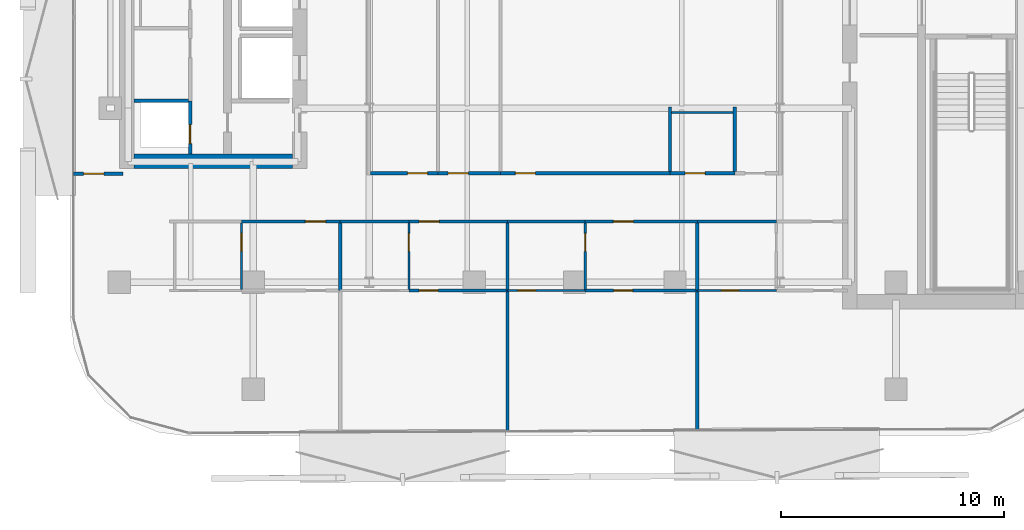
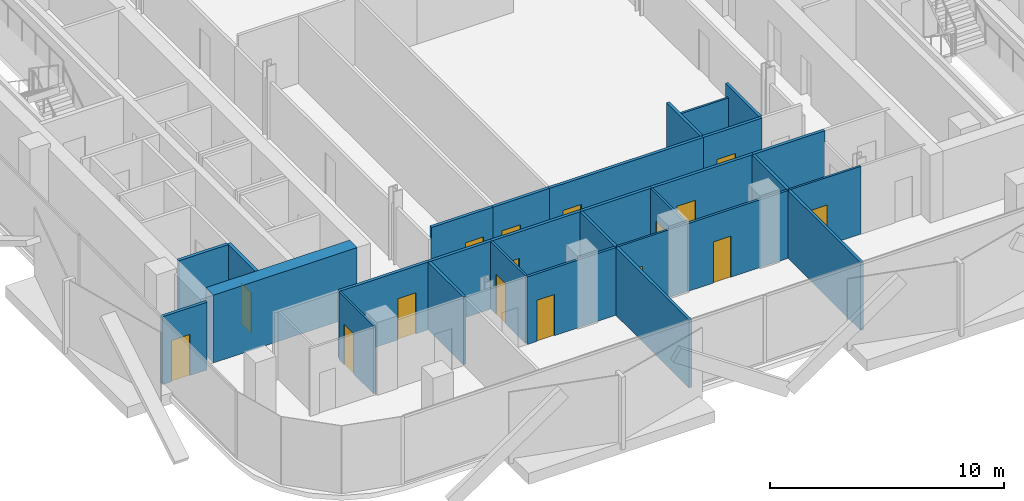
# One storey, part 3 of 17: 29 walls, 16 doors, 16 openings.
"""IFC4 building model written with IfcOpenShell, lengths in metres."""

from ifc_helpers import new_model, si_unit, direction, frame, frame_2d, origin, place, context, subcontext, project, spatial, rectangle, extrude, material, layer, layer_set, type_object, element, fill, save


model = new_model("IFC4")

# Units and contexts
model_context = context("Model", 3, precision=1e-05, world=origin(), true_north=direction((0.0, 1.0)))
body_context = subcontext(model_context, "Body", "Model", "MODEL_VIEW")
ifc_project = project(units=[si_unit("LENGTHUNIT", "METRE"), si_unit("AREAUNIT", "SQUARE_METRE"), si_unit("VOLUMEUNIT", "CUBIC_METRE"), si_unit("PLANEANGLEUNIT", "RADIAN"), si_unit("MASSUNIT", "GRAM", prefix="KILO")], contexts=[model_context])

# Site, building, storey
site_placement = place(None, origin())
site = spatial("IfcSite", under=ifc_project, at=site_placement, CompositionType="ELEMENT")
building_placement = place(site_placement, origin())
building = spatial("IfcBuilding", under=site, at=building_placement, Name="Khairoan Windgate Tower", CompositionType="ELEMENT")
storey_placement = place(building_placement, frame((0.0, 0.0, 195.39990234375)))
storey = spatial("IfcBuildingStorey", under=building, at=storey_placement, Name="L45", CompositionType="ELEMENT", Elevation=195.39990234375)

# Wall, opening, door
ifc_material_1 = material(Name="Moisture-Resistant Gypsum Partition", Category="gypsum")
ifc_layer_1 = layer(ifc_material_1, 0.10009765625, Name="Moisture-Resistant Gypsum Partition")
ifc_layer_set_1 = layer_set([ifc_layer_1], Name="Moisture-Resistant Gypsum Partition")
wall_type_1 = type_object("IfcWallType", Name="Bathroom Wet-Area Partition Wall", PredefinedType="PARTITIONING", material=ifc_layer_set_1)
wall_1_placement = place(storey_placement, frame((-14.924072265625, -18.919921875, 0.0), z_axis=(0.0, 0.0, 1.0), x_axis=(0.0, 1.0, 0.0)))
wall_1 = element("IfcWall", 1, at=wall_1_placement, inside=storey, type_object=wall_type_1, Name="L45 Interior Partition 078", PredefinedType="PARTITIONING", context=body_context, shape_type="SweptSolid", body=[
    extrude(rectangle(XDim=2.96484375, YDim=0.10009765625, at=frame_2d((1.482421875, 0.0))), origin(), (0.0, 0.0, 1.0), 3.5400390625),
])
opening_1_placement = place(wall_1_placement, frame((1.705078125, 0.0, 0.0)))
opening_1 = element("IfcOpeningElement", 2, at=opening_1_placement, cuts=wall_1, Name="Opening ID-BTH", PredefinedType="OPENING", context=body_context, shape_type="SweptSolid", body=[
    extrude(rectangle(XDim=0.800048828125, YDim=2.10009765625, at=frame_2d((0.39990234375, 1.050048828125))), frame((0.0, 0.06005859375, 0.0), z_axis=(0.0, -1.0, 0.0), x_axis=(1.0, 0.0, 0.0)), (0.0, 0.0, 1.0), 0.1201171875),
])
ifc_material_2 = material(Name="Teak Veneer Timber Leaf", Category="wood")
door_type_1 = type_object("IfcDoorType", Name="Internal Bathroom Door ID-BTH 800x2100", OperationType="NOTDEFINED", PredefinedType="DOOR", material=ifc_material_2)
door_1_placement = place(opening_1_placement, origin())
door_1 = element("IfcDoor", 3, at=door_1_placement, inside=storey, type_object=door_type_1, Name="L45 L45-54-L45-55 Door", OperationType="SINGLE_SWING_RIGHT", OverallHeight=2.10009765625, OverallWidth=0.800048828125, PredefinedType="DOOR", context=body_context, shape_type="SweptSolid", body=[
    extrude(rectangle(XDim=0.800048828125, YDim=2.10009765625, at=frame_2d((0.39990234375, 1.050048828125))), frame((0.0, 0.02490234375, 0.0), z_axis=(0.0, -1.0, 0.0), x_axis=(1.0, 0.0, 0.0)), (0.0, 0.0, 1.0), 0.050048828125),
])
fill(opening_1, door_1)

wall_2_placement = place(storey_placement, frame((-7.424072265625, -18.919921875, 0.0), z_axis=(0.0, 0.0, 1.0), x_axis=(0.0, 1.0, 0.0)))
wall_2 = element("IfcWall", 4, at=wall_2_placement, inside=storey, type_object=wall_type_1, Name="L45 Interior Partition 083", PredefinedType="PARTITIONING", context=body_context, shape_type="SweptSolid", body=[
    extrude(rectangle(XDim=2.96484375, YDim=0.10009765625, at=frame_2d((1.482421875, 0.0))), origin(), (0.0, 0.0, 1.0), 3.5400390625),
])
opening_2_placement = place(wall_2_placement, frame((1.705078125, 0.0, 0.0)))
opening_2 = element("IfcOpeningElement", 5, at=opening_2_placement, cuts=wall_2, Name="Opening ID-BTH", PredefinedType="OPENING", context=body_context, shape_type="SweptSolid", body=[
    extrude(rectangle(XDim=0.800048828125, YDim=2.10009765625, at=frame_2d((0.39990234375, 1.050048828125))), frame((0.0, 0.06005859375, 0.0), z_axis=(0.0, -1.0, 0.0), x_axis=(1.0, 0.0, 0.0)), (0.0, 0.0, 1.0), 0.1201171875),
])
door_2_placement = place(opening_2_placement, origin())
door_2 = element("IfcDoor", 6, at=door_2_placement, inside=storey, type_object=door_type_1, Name="L45 L45-57-L45-58 Door", OperationType="SINGLE_SWING_LEFT", OverallHeight=2.10009765625, OverallWidth=0.800048828125, PredefinedType="DOOR", context=body_context, shape_type="SweptSolid", body=[
    extrude(rectangle(XDim=0.800048828125, YDim=2.10009765625, at=frame_2d((0.39990234375, 1.050048828125))), frame((0.0, 0.02490234375, 0.0), z_axis=(0.0, -1.0, 0.0), x_axis=(1.0, 0.0, 0.0)), (0.0, 0.0, 1.0), 0.050048828125),
])
fill(opening_2, door_2)

wall_3_placement = place(storey_placement, frame((0.47607421875, -18.919921875, 0.0), z_axis=(0.0, 0.0, 1.0), x_axis=(0.0, 1.0, 0.0)))
wall_3 = element("IfcWall", 7, at=wall_3_placement, inside=storey, type_object=wall_type_1, Name="L45 Interior Partition 088", PredefinedType="PARTITIONING", context=body_context, shape_type="SweptSolid", body=[
    extrude(rectangle(XDim=2.96484375, YDim=0.10009765625, at=frame_2d((1.482421875, 0.0))), origin(), (0.0, 0.0, 1.0), 3.5400390625),
])
opening_3_placement = place(wall_3_placement, frame((1.705078125, 0.0, 0.0)))
opening_3 = element("IfcOpeningElement", 8, at=opening_3_placement, cuts=wall_3, Name="Opening ID-BTH", PredefinedType="OPENING", context=body_context, shape_type="SweptSolid", body=[
    extrude(rectangle(XDim=0.800048828125, YDim=2.10009765625, at=frame_2d((0.39990234375, 1.050048828125))), frame((0.0, 0.06005859375, 0.0), z_axis=(0.0, -1.0, 0.0), x_axis=(1.0, 0.0, 0.0)), (0.0, 0.0, 1.0), 0.1201171875),
])
door_3_placement = place(opening_3_placement, origin())
door_3 = element("IfcDoor", 9, at=door_3_placement, inside=storey, type_object=door_type_1, Name="L45 L45-60-L45-61 Door", OperationType="SINGLE_SWING_RIGHT", OverallHeight=2.10009765625, OverallWidth=0.800048828125, PredefinedType="DOOR", context=body_context, shape_type="SweptSolid", body=[
    extrude(rectangle(XDim=0.800048828125, YDim=2.10009765625, at=frame_2d((0.39990234375, 1.050048828125))), frame((0.0, 0.02490234375, 0.0), z_axis=(0.0, -1.0, 0.0), x_axis=(1.0, 0.0, 0.0)), (0.0, 0.0, 1.0), 0.050048828125),
])
fill(opening_3, door_3)

wall_4_placement = place(storey_placement, frame((-3.0, -18.969970703125, 0.0), z_axis=(0.0, 0.0, 1.0), x_axis=(1.0, 0.0, 0.0)))
wall_4 = element("IfcWall", 10, at=wall_4_placement, inside=storey, type_object=wall_type_1, Name="L45 Interior Partition 089", PredefinedType="PARTITIONING", context=body_context, shape_type="SweptSolid", body=[
    extrude(rectangle(XDim=3.47607421875, YDim=0.10009765625, at=frame_2d((1.738037109375, 0.0))), origin(), (0.0, 0.0, 1.0), 3.5400390625),
])
opening_4_placement = place(wall_4_placement, frame((0.4599609375, 0.0, 0.0)))
opening_4 = element("IfcOpeningElement", 11, at=opening_4_placement, cuts=wall_4, Name="Opening ID-BTH", PredefinedType="OPENING", context=body_context, shape_type="SweptSolid", body=[
    extrude(rectangle(XDim=0.800048828125, YDim=2.10009765625, at=frame_2d((0.39990234375, 1.050048828125))), frame((0.0, 0.06005859375, 0.0), z_axis=(0.0, -1.0, 0.0), x_axis=(1.0, 0.0, 0.0)), (0.0, 0.0, 1.0), 0.1201171875),
])
door_4_placement = place(opening_4_placement, origin())
door_4 = element("IfcDoor", 12, at=door_4_placement, inside=storey, type_object=door_type_1, Name="L45 L45-60-L45-62 Door", OperationType="SINGLE_SWING_LEFT", OverallHeight=2.10009765625, OverallWidth=0.800048828125, PredefinedType="DOOR", context=body_context, shape_type="SweptSolid", body=[
    extrude(rectangle(XDim=0.800048828125, YDim=2.10009765625, at=frame_2d((0.39990234375, 1.050048828125))), frame((0.0, 0.02490234375, 0.0), z_axis=(0.0, -1.0, 0.0), x_axis=(1.0, 0.0, 0.0)), (0.0, 0.0, 1.0), 0.050048828125),
])
fill(opening_4, door_4)

wall_5_placement = place(storey_placement, frame((5.5, -18.969970703125, 0.0), z_axis=(0.0, 0.0, 1.0), x_axis=(1.0, 0.0, 0.0)))
wall_5 = element("IfcWall", 13, at=wall_5_placement, inside=storey, type_object=wall_type_1, Name="L45 Interior Partition 094", PredefinedType="PARTITIONING", context=body_context, shape_type="SweptSolid", body=[
    extrude(rectangle(XDim=3.5400390625, YDim=0.10009765625, at=frame_2d((1.77001953125, 0.0))), origin(), (0.0, 0.0, 1.0), 3.5400390625),
])
opening_5_placement = place(wall_5_placement, frame((1.066650390625, 0.0, 0.0)))
opening_5 = element("IfcOpeningElement", 14, at=opening_5_placement, cuts=wall_5, Name="Opening ID-BTH", PredefinedType="OPENING", context=body_context, shape_type="SweptSolid", body=[
    extrude(rectangle(XDim=0.800048828125, YDim=2.10009765625, at=frame_2d((0.39990234375, 1.050048828125))), frame((0.0, 0.06005859375, 0.0), z_axis=(0.0, -1.0, 0.0), x_axis=(1.0, 0.0, 0.0)), (0.0, 0.0, 1.0), 0.1201171875),
])
door_5_placement = place(opening_5_placement, origin())
door_5 = element("IfcDoor", 15, at=door_5_placement, inside=storey, type_object=door_type_1, Name="L45 L45-63-L45-65 Door", OperationType="SINGLE_SWING_RIGHT", OverallHeight=2.10009765625, OverallWidth=0.800048828125, PredefinedType="DOOR", context=body_context, shape_type="SweptSolid", body=[
    extrude(rectangle(XDim=0.800048828125, YDim=2.10009765625, at=frame_2d((0.39990234375, 1.050048828125))), frame((0.0, 0.02490234375, 0.0), z_axis=(0.0, -1.0, 0.0), x_axis=(1.0, 0.0, 0.0)), (0.0, 0.0, 1.0), 0.050048828125),
])
fill(opening_5, door_5)

# Walls
wall_6_placement = place(storey_placement, frame((4.35009765625, -11.0, 0.0), z_axis=(0.0, 0.0, 1.0), x_axis=(1.0, 0.0, 0.0)))
element("IfcWall", 16, at=wall_6_placement, inside=storey, type_object=wall_type_1, Name="L45 Wet Room Side Wall 099", PredefinedType="PARTITIONING", context=body_context, shape_type="SweptSolid", body=[
    extrude(rectangle(XDim=2.760009765625, YDim=0.10009765625, at=frame_2d((1.3798828125, 0.0))), origin(), (0.0, 0.0, 1.0), 2.9521484375),
])
ifc_material_3 = material(Name="Acoustic Fire-Rated Gypsum Partition", Category="gypsum")
ifc_layer_2 = layer(ifc_material_3, 0.139892578125, Name="Acoustic Fire-Rated Gypsum Partition")
ifc_layer_set_2 = layer_set([ifc_layer_2], Name="Acoustic Fire-Rated Gypsum Partition")
wall_type_2 = type_object("IfcWallType", Name="Inter-Tenancy Compartment Wall", PredefinedType="PARTITIONING", material=ifc_layer_set_2)
for number, where, z_axis, x_axis, name in (
    (17, (4.280029296875, -13.64501953125, 0.0), (0.0, 0.0, 1.0), (0.0, 1.0, 0.0), "L45 Interior Partition 049"),
    (18, (7.179931640625, -13.64501953125, 0.0), (0.0, 0.0, 1.0), (0.0, 1.0, 0.0), "L45 Interior Partition 052"),
):
    element("IfcWall", number, at=place(storey_placement, frame(where, z_axis=z_axis, x_axis=x_axis)), inside=storey, type_object=wall_type_2, Name=name, PredefinedType="PARTITIONING", context=body_context, shape_type="SweptSolid", body=[
        extrude(rectangle(XDim=2.885009765625, YDim=0.139892578125, at=frame_2d((1.4423828125, 0.0))), origin(), (0.0, 0.0, 1.0), 3.5400390625),
    ])
for number, where, z_axis, x_axis, name in (
    (19, (-10.5, -18.969970703125, 0.0), (0.0, 0.0, 1.0), (0.0, 1.0, 0.0), "L45 Interior Partition 081"),
    (20, (-3.0, -18.969970703125, 0.0), (0.0, 0.0, 1.0), (0.0, 1.0, 0.0), "L45 Interior Partition 086"),
):
    element("IfcWall", number, at=place(storey_placement, frame(where, z_axis=z_axis, x_axis=x_axis)), inside=storey, type_object=wall_type_2, Name=name, PredefinedType="PARTITIONING", context=body_context, shape_type="SweptSolid", body=[
        extrude(rectangle(XDim=3.014892578125, YDim=0.139892578125, at=frame_2d((1.50732421875, 0.0))), origin(), (0.0, 0.0, 1.0), 3.5400390625),
    ])
wall_7_placement = place(storey_placement, frame((-3.0, -25.28466796875, 0.0), z_axis=(0.0, 0.0, 1.0), x_axis=(0.0, 1.0, 0.0)))
element("IfcWall", 21, at=wall_7_placement, inside=storey, type_object=wall_type_2, Name="L45 Interior Partition 087", PredefinedType="PARTITIONING", context=body_context, shape_type="SweptSolid", body=[
    extrude(rectangle(XDim=6.314697265625, YDim=0.139892578125, at=frame_2d((3.1572265625, 0.0))), origin(), (0.0, 0.0, 1.0), 3.5400390625),
])
wall_8_placement = place(storey_placement, frame((5.5, -18.969970703125, 0.0), z_axis=(0.0, 0.0, 1.0), x_axis=(0.0, 1.0, 0.0)))
element("IfcWall", 22, at=wall_8_placement, inside=storey, type_object=wall_type_2, Name="L45 Interior Partition 091", PredefinedType="PARTITIONING", context=body_context, shape_type="SweptSolid", body=[
    extrude(rectangle(XDim=3.014892578125, YDim=0.139892578125, at=frame_2d((1.50732421875, 0.0))), origin(), (0.0, 0.0, 1.0), 3.5400390625),
])
wall_9_placement = place(storey_placement, frame((5.5, -25.24267578125, 0.0), z_axis=(0.0, 0.0, 1.0), x_axis=(0.0, 1.0, 0.0)))
element("IfcWall", 23, at=wall_9_placement, inside=storey, type_object=wall_type_2, Name="L45 Interior Partition 092", PredefinedType="PARTITIONING", context=body_context, shape_type="SweptSolid", body=[
    extrude(rectangle(XDim=6.272705078125, YDim=0.139892578125, at=frame_2d((3.13623046875, 0.0))), origin(), (0.0, 0.0, 1.0), 3.5400390625),
])

# Wall, opening, door
ifc_material_4 = material(Name="Gypsum Stud Partition", Category="gypsum")
ifc_layer_3 = layer(ifc_material_4, 0.1201171875, Name="Gypsum Stud Partition")
ifc_layer_set_3 = layer_set([ifc_layer_3], Name="Gypsum Stud Partition")
wall_type_3 = type_object("IfcWallType", Name="Internal Room Partition Wall", PredefinedType="PARTITIONING", material=ifc_layer_set_3)
wall_10_placement = place(storey_placement, frame((-7.424072265625, -18.969970703125, 0.0), z_axis=(0.0, 0.0, 1.0), x_axis=(1.0, 0.0, 0.0)))
wall_10 = element("IfcWall", 24, at=wall_10_placement, inside=storey, type_object=wall_type_3, Name="L45 Interior Partition 085", PredefinedType="PARTITIONING", context=body_context, shape_type="SweptSolid", body=[
    extrude(rectangle(XDim=4.424072265625, YDim=0.1201171875, at=frame_2d((2.2119140625, 0.0))), origin(), (0.0, 0.0, 1.0), 3.5400390625),
])
opening_6_placement = place(wall_10_placement, frame((0.4599609375, 0.0, 0.0)))
opening_6 = element("IfcOpeningElement", 25, at=opening_6_placement, cuts=wall_10, Name="Opening ID-RM", PredefinedType="OPENING", context=body_context, shape_type="SweptSolid", body=[
    extrude(rectangle(XDim=0.860107421875, YDim=2.14990234375, at=frame_2d((0.43017578125, 1.074951171875))), frame((0.0, 0.070068359375, 0.0), z_axis=(0.0, -1.0, 0.0), x_axis=(1.0, 0.0, 0.0)), (0.0, 0.0, 1.0), 0.14013671875),
])
ifc_material_5 = material(Name="Teak Veneer Timber Leaf", Category="wood")
door_type_2 = type_object("IfcDoorType", Name="Internal Bedroom and Office Door ID-RM 860x2150", OperationType="NOTDEFINED", PredefinedType="DOOR", material=ifc_material_5)
door_6_placement = place(opening_6_placement, origin())
door_6 = element("IfcDoor", 26, at=door_6_placement, inside=storey, type_object=door_type_2, Name="L45 L45-58-L45-59 Door", OperationType="SINGLE_SWING_LEFT", OverallHeight=2.14990234375, OverallWidth=0.860107421875, PredefinedType="DOOR", context=body_context, shape_type="SweptSolid", body=[
    extrude(rectangle(XDim=0.860107421875, YDim=2.14990234375, at=frame_2d((0.43017578125, 1.074951171875))), frame((0.0, 0.02490234375, 0.0), z_axis=(0.0, -1.0, 0.0), x_axis=(1.0, 0.0, 0.0)), (0.0, 0.0, 1.0), 0.050048828125),
])
fill(opening_6, door_6)

wall_11_placement = place(storey_placement, frame((0.47607421875, -18.969970703125, 0.0), z_axis=(0.0, 0.0, 1.0), x_axis=(1.0, 0.0, 0.0)))
wall_11 = element("IfcWall", 27, at=wall_11_placement, inside=storey, type_object=wall_type_3, Name="L45 Interior Partition 090", PredefinedType="PARTITIONING", context=body_context, shape_type="SweptSolid", body=[
    extrude(rectangle(XDim=5.02392578125, YDim=0.1201171875, at=frame_2d((2.511962890625, 0.0))), origin(), (0.0, 0.0, 1.0), 3.5400390625),
])
opening_7_placement = place(wall_11_placement, frame((1.27099609375, 0.0, 0.0)))
opening_7 = element("IfcOpeningElement", 28, at=opening_7_placement, cuts=wall_11, Name="Opening ID-RM", PredefinedType="OPENING", context=body_context, shape_type="SweptSolid", body=[
    extrude(rectangle(XDim=0.860107421875, YDim=2.14990234375, at=frame_2d((0.43017578125, 1.074951171875))), frame((0.0, 0.070068359375, 0.0), z_axis=(0.0, -1.0, 0.0), x_axis=(1.0, 0.0, 0.0)), (0.0, 0.0, 1.0), 0.14013671875),
])
door_7_placement = place(opening_7_placement, origin())
door_7 = element("IfcDoor", 29, at=door_7_placement, inside=storey, type_object=door_type_2, Name="L45 L45-61-L45-62 Door", OperationType="SINGLE_SWING_RIGHT", OverallHeight=2.14990234375, OverallWidth=0.860107421875, PredefinedType="DOOR", context=body_context, shape_type="SweptSolid", body=[
    extrude(rectangle(XDim=0.860107421875, YDim=2.14990234375, at=frame_2d((0.43017578125, 1.074951171875))), frame((0.0, 0.02490234375, 0.0), z_axis=(0.0, -1.0, 0.0), x_axis=(1.0, 0.0, 0.0)), (0.0, 0.0, 1.0), 0.050048828125),
])
fill(opening_7, door_7)

ifc_material_6 = material(Name="Concrete C40/50", Category="concrete")
ifc_layer_4 = layer(ifc_material_6, 0.159912109375, Name="Concrete C40/50")
ifc_layer_set_4 = layer_set([ifc_layer_4], Name="Concrete C40/50")
wall_type_4 = type_object("IfcWallType", Name="Plant and Refuge Compartment Wall", PredefinedType="PARTITIONING", material=ifc_layer_set_4)
wall_12_placement = place(storey_placement, frame((-17.22998046875, -12.85009765625, 0.0), z_axis=(0.0, 0.0, 1.0), x_axis=(0.0, 1.0, 0.0)))
wall_12 = element("IfcWall", 30, at=wall_12_placement, inside=storey, type_object=wall_type_4, Name="L45 Interior Partition 001", PredefinedType="PARTITIONING", context=body_context, shape_type="SweptSolid", body=[
    extrude(rectangle(XDim=2.380126953125, YDim=0.159912109375, at=frame_2d((1.18994140625, 0.0))), origin(), (0.0, 0.0, 1.0), 3.5400390625),
])
opening_8_placement = place(wall_12_placement, frame((0.4599609375, 0.0, 0.0)))
opening_8 = element("IfcOpeningElement", 31, at=opening_8_placement, cuts=wall_12, Name="Opening FD-SRV", PredefinedType="OPENING", context=body_context, shape_type="SweptSolid", body=[
    extrude(rectangle(XDim=0.85009765625, YDim=2.10009765625, at=frame_2d((0.425048828125, 1.050048828125))), frame((0.0, 0.08984375, 0.0), z_axis=(0.0, -1.0, 0.0), x_axis=(1.0, 0.0, 0.0)), (0.0, 0.0, 1.0), 0.179931640625),
])
ifc_material_7 = material(Name="Steel S355", Category="steel")
door_type_3 = type_object("IfcDoorType", Name="Core Service and Riser Fire Door FD-SRV 850x2100", OperationType="NOTDEFINED", PredefinedType="DOOR", material=ifc_material_7)
door_8_placement = place(opening_8_placement, origin())
door_8 = element("IfcDoor", 32, at=door_8_placement, inside=storey, type_object=door_type_3, Name="L45 L45-04-L45-05 Door", OperationType="SINGLE_SWING_LEFT", OverallHeight=2.10009765625, OverallWidth=0.85009765625, PredefinedType="DOOR", context=body_context, shape_type="SweptSolid", body=[
    extrude(rectangle(XDim=0.85009765625, YDim=2.10009765625, at=frame_2d((0.425048828125, 1.050048828125))), frame((0.0, 0.02490234375, 0.0), z_axis=(0.0, -1.0, 0.0), x_axis=(1.0, 0.0, 0.0)), (0.0, 0.0, 1.0), 0.050048828125),
])
fill(opening_8, door_8)

# Wall
wall_13_placement = place(storey_placement, frame((-19.75, -10.469970703125, 0.0), z_axis=(0.0, 0.0, 1.0), x_axis=(1.0, 0.0, 0.0)))
element("IfcWall", 33, at=wall_13_placement, inside=storey, type_object=wall_type_4, Name="L45 Interior Partition 004", PredefinedType="PARTITIONING", context=body_context, shape_type="SweptSolid", body=[
    extrude(rectangle(XDim=2.43994140625, YDim=0.159912109375, at=frame_2d((1.219970703125, 0.0))), origin(), (0.0, 0.0, 1.0), 3.5400390625),
])

# Wall, opening, door
ifc_material_8 = material(Name="Acoustic Fire-Rated Gypsum Partition", Category="gypsum")
ifc_layer_5 = layer(ifc_material_8, 0.14990234375, Name="Acoustic Fire-Rated Gypsum Partition")
ifc_layer_set_5 = layer_set([ifc_layer_5], Name="Acoustic Fire-Rated Gypsum Partition")
wall_type_5 = type_object("IfcWallType", Name="Rated Corridor Partition Wall", PredefinedType="PARTITIONING", material=ifc_layer_set_5)
wall_14_placement = place(storey_placement, frame((-9.14501953125, -13.719970703125, 0.0), z_axis=(0.0, 0.0, 1.0), x_axis=(1.0, 0.0, 0.0)))
wall_14 = element("IfcWall", 34, at=wall_14_placement, inside=storey, type_object=wall_type_5, Name="L45 Interior Partition 031", PredefinedType="PARTITIONING", context=body_context, shape_type="SweptSolid", body=[
    extrude(rectangle(XDim=3.02490234375, YDim=0.14990234375, at=frame_2d((1.512451171875, 0.0))), origin(), (0.0, 0.0, 1.0), 3.5400390625),
])
opening_9_placement = place(wall_14_placement, frame((1.6650390625, 0.0, 0.0)))
opening_9 = element("IfcOpeningElement", 35, at=opening_9_placement, cuts=wall_14, Name="Opening FD-ENT", PredefinedType="OPENING", context=body_context, shape_type="SweptSolid", body=[
    extrude(rectangle(XDim=0.89990234375, YDim=2.14990234375, at=frame_2d((0.449951171875, 1.074951171875))), frame((0.0, 0.0849609375, 0.0), z_axis=(0.0, -1.0, 0.0), x_axis=(1.0, 0.0, 0.0)), (0.0, 0.0, 1.0), 0.169921875),
])
ifc_material_9 = material(Name="Timber Fire-Rated Core", Category="wood")
door_type_4 = type_object("IfcDoorType", Name="Unit and Office Fire Entrance Door FD-ENT 900x2150", OperationType="NOTDEFINED", PredefinedType="DOOR", material=ifc_material_9)
door_9_placement = place(opening_9_placement, origin())
door_9 = element("IfcDoor", 36, at=door_9_placement, inside=storey, type_object=door_type_4, Name="L45 L45-31-L45-32 Door", OperationType="SINGLE_SWING_LEFT", OverallHeight=2.14990234375, OverallWidth=0.89990234375, PredefinedType="DOOR", context=body_context, shape_type="SweptSolid", body=[
    extrude(rectangle(XDim=0.89990234375, YDim=2.14990234375, at=frame_2d((0.449951171875, 1.074951171875))), frame((0.0, 0.02490234375, 0.0), z_axis=(0.0, -1.0, 0.0), x_axis=(1.0, 0.0, 0.0)), (0.0, 0.0, 1.0), 0.050048828125),
])
fill(opening_9, door_9)

wall_15_placement = place(storey_placement, frame((-6.1201171875, -13.719970703125, 0.0), z_axis=(0.0, 0.0, 1.0), x_axis=(1.0, 0.0, 0.0)))
wall_15 = element("IfcWall", 37, at=wall_15_placement, inside=storey, type_object=wall_type_5, Name="L45 Interior Partition 032", PredefinedType="PARTITIONING", context=body_context, shape_type="SweptSolid", body=[
    extrude(rectangle(XDim=2.800048828125, YDim=0.14990234375, at=frame_2d((1.39990234375, 0.0))), origin(), (0.0, 0.0, 1.0), 3.5400390625),
])
opening_10_placement = place(wall_15_placement, frame((0.4599609375, 0.0, 0.0)))
opening_10 = element("IfcOpeningElement", 38, at=opening_10_placement, cuts=wall_15, Name="Opening FD-ENT", PredefinedType="OPENING", context=body_context, shape_type="SweptSolid", body=[
    extrude(rectangle(XDim=0.89990234375, YDim=2.14990234375, at=frame_2d((0.449951171875, 1.074951171875))), frame((0.0, 0.0849609375, 0.0), z_axis=(0.0, -1.0, 0.0), x_axis=(1.0, 0.0, 0.0)), (0.0, 0.0, 1.0), 0.169921875),
])
door_10_placement = place(opening_10_placement, origin())
door_10 = element("IfcDoor", 39, at=door_10_placement, inside=storey, type_object=door_type_4, Name="L45 L45-31-L45-33 Door", OperationType="SINGLE_SWING_RIGHT", OverallHeight=2.14990234375, OverallWidth=0.89990234375, PredefinedType="DOOR", context=body_context, shape_type="SweptSolid", body=[
    extrude(rectangle(XDim=0.89990234375, YDim=2.14990234375, at=frame_2d((0.449951171875, 1.074951171875))), frame((0.0, 0.02490234375, 0.0), z_axis=(0.0, -1.0, 0.0), x_axis=(1.0, 0.0, 0.0)), (0.0, 0.0, 1.0), 0.050048828125),
])
fill(opening_10, door_10)

wall_16_placement = place(storey_placement, frame((-3.320068359375, -13.719970703125, 0.0), z_axis=(0.0, 0.0, 1.0), x_axis=(1.0, 0.0, 0.0)))
wall_16 = element("IfcWall", 40, at=wall_16_placement, inside=storey, type_object=wall_type_5, Name="L45 Interior Partition 033", PredefinedType="PARTITIONING", context=body_context, shape_type="SweptSolid", body=[
    extrude(rectangle(XDim=7.60009765625, YDim=0.14990234375, at=frame_2d((3.800048828125, 0.0))), origin(), (0.0, 0.0, 1.0), 3.5400390625),
])
opening_11_placement = place(wall_16_placement, frame((0.66650390625, 0.0, 0.0)))
opening_11 = element("IfcOpeningElement", 41, at=opening_11_placement, cuts=wall_16, Name="Opening FD-ENT", PredefinedType="OPENING", context=body_context, shape_type="SweptSolid", body=[
    extrude(rectangle(XDim=0.89990234375, YDim=2.14990234375, at=frame_2d((0.449951171875, 1.074951171875))), frame((0.0, 0.0849609375, 0.0), z_axis=(0.0, -1.0, 0.0), x_axis=(1.0, 0.0, 0.0)), (0.0, 0.0, 1.0), 0.169921875),
])
door_11_placement = place(opening_11_placement, origin())
door_11 = element("IfcDoor", 42, at=door_11_placement, inside=storey, type_object=door_type_4, Name="L45 L45-31-L45-34 Door", OperationType="SINGLE_SWING_LEFT", OverallHeight=2.14990234375, OverallWidth=0.89990234375, PredefinedType="DOOR", context=body_context, shape_type="SweptSolid", body=[
    extrude(rectangle(XDim=0.89990234375, YDim=2.14990234375, at=frame_2d((0.449951171875, 1.074951171875))), frame((0.0, 0.02490234375, 0.0), z_axis=(0.0, -1.0, 0.0), x_axis=(1.0, 0.0, 0.0)), (0.0, 0.0, 1.0), 0.050048828125),
])
fill(opening_11, door_11)

wall_17_placement = place(storey_placement, frame((4.280029296875, -13.719970703125, 0.0), z_axis=(0.0, 0.0, 1.0), x_axis=(1.0, 0.0, 0.0)))
wall_17 = element("IfcWall", 43, at=wall_17_placement, inside=storey, type_object=wall_type_5, Name="L45 Interior Partition 034", PredefinedType="PARTITIONING", context=body_context, shape_type="SweptSolid", body=[
    extrude(rectangle(XDim=2.89990234375, YDim=0.14990234375, at=frame_2d((1.449951171875, 0.0))), origin(), (0.0, 0.0, 1.0), 3.5400390625),
])
opening_12_placement = place(wall_17_placement, frame((0.676025390625, 0.0, 0.0)))
opening_12 = element("IfcOpeningElement", 44, at=opening_12_placement, cuts=wall_17, Name="Opening FD-ENT", PredefinedType="OPENING", context=body_context, shape_type="SweptSolid", body=[
    extrude(rectangle(XDim=0.89990234375, YDim=2.14990234375, at=frame_2d((0.449951171875, 1.074951171875))), frame((0.0, 0.0849609375, 0.0), z_axis=(0.0, -1.0, 0.0), x_axis=(1.0, 0.0, 0.0)), (0.0, 0.0, 1.0), 0.169921875),
])
door_12_placement = place(opening_12_placement, origin())
door_12 = element("IfcDoor", 45, at=door_12_placement, inside=storey, type_object=door_type_4, Name="L45 L45-31-L45-35 Door", OperationType="SINGLE_SWING_RIGHT", OverallHeight=2.14990234375, OverallWidth=0.89990234375, PredefinedType="DOOR", context=body_context, shape_type="SweptSolid", body=[
    extrude(rectangle(XDim=0.89990234375, YDim=2.14990234375, at=frame_2d((0.449951171875, 1.074951171875))), frame((0.0, 0.02490234375, 0.0), z_axis=(0.0, -1.0, 0.0), x_axis=(1.0, 0.0, 0.0)), (0.0, 0.0, 1.0), 0.050048828125),
])
fill(opening_12, door_12)

wall_18_placement = place(storey_placement, frame((-14.924072265625, -15.8798828125, 0.0), z_axis=(0.0, 0.0, 1.0), x_axis=(1.0, 0.0, 0.0)))
wall_18 = element("IfcWall", 46, at=wall_18_placement, inside=storey, type_object=wall_type_5, Name="L45 Interior Partition 037", PredefinedType="PARTITIONING", context=body_context, shape_type="SweptSolid", body=[
    extrude(rectangle(XDim=4.424072265625, YDim=0.14990234375, at=frame_2d((2.2119140625, 0.0))), origin(), (0.0, 0.0, 1.0), 3.5400390625),
])
opening_13_placement = place(wall_18_placement, frame((2.86376953125, 0.0, 0.0)))
opening_13 = element("IfcOpeningElement", 47, at=opening_13_placement, cuts=wall_18, Name="Opening FD-ENT", PredefinedType="OPENING", context=body_context, shape_type="SweptSolid", body=[
    extrude(rectangle(XDim=0.89990234375, YDim=2.14990234375, at=frame_2d((0.449951171875, 1.074951171875))), frame((0.0, 0.0849609375, 0.0), z_axis=(0.0, -1.0, 0.0), x_axis=(1.0, 0.0, 0.0)), (0.0, 0.0, 1.0), 0.169921875),
])
door_13_placement = place(opening_13_placement, origin())
door_13 = element("IfcDoor", 48, at=door_13_placement, inside=storey, type_object=door_type_4, Name="L45 L45-31-L45-55 Door", OperationType="SINGLE_SWING_RIGHT", OverallHeight=2.14990234375, OverallWidth=0.89990234375, PredefinedType="DOOR", context=body_context, shape_type="SweptSolid", body=[
    extrude(rectangle(XDim=0.89990234375, YDim=2.14990234375, at=frame_2d((0.449951171875, 1.074951171875))), frame((0.0, 0.02490234375, 0.0), z_axis=(0.0, -1.0, 0.0), x_axis=(1.0, 0.0, 0.0)), (0.0, 0.0, 1.0), 0.050048828125),
])
fill(opening_13, door_13)

# Wall
wall_19_placement = place(storey_placement, frame((-10.5, -15.8798828125, 0.0), z_axis=(0.0, 0.0, 1.0), x_axis=(1.0, 0.0, 0.0)))
element("IfcWall", 49, at=wall_19_placement, inside=storey, type_object=wall_type_5, Name="L45 Interior Partition 038", PredefinedType="PARTITIONING", context=body_context, shape_type="SweptSolid", body=[
    extrude(rectangle(XDim=3.075927734375, YDim=0.14990234375, at=frame_2d((1.5380859375, 0.0))), origin(), (0.0, 0.0, 1.0), 3.5400390625),
])

# Wall, opening, door
wall_20_placement = place(storey_placement, frame((-7.424072265625, -15.8798828125, 0.0), z_axis=(0.0, 0.0, 1.0), x_axis=(1.0, 0.0, 0.0)))
wall_20 = element("IfcWall", 50, at=wall_20_placement, inside=storey, type_object=wall_type_5, Name="L45 Interior Partition 039", PredefinedType="PARTITIONING", context=body_context, shape_type="SweptSolid", body=[
    extrude(rectangle(XDim=4.424072265625, YDim=0.14990234375, at=frame_2d((2.2119140625, 0.0))), origin(), (0.0, 0.0, 1.0), 3.5400390625),
])
opening_14_placement = place(wall_20_placement, frame((0.4599609375, 0.0, 0.0)))
opening_14 = element("IfcOpeningElement", 51, at=opening_14_placement, cuts=wall_20, Name="Opening FD-ENT", PredefinedType="OPENING", context=body_context, shape_type="SweptSolid", body=[
    extrude(rectangle(XDim=0.89990234375, YDim=2.14990234375, at=frame_2d((0.449951171875, 1.074951171875))), frame((0.0, 0.0849609375, 0.0), z_axis=(0.0, -1.0, 0.0), x_axis=(1.0, 0.0, 0.0)), (0.0, 0.0, 1.0), 0.169921875),
])
door_14_placement = place(opening_14_placement, origin())
door_14 = element("IfcDoor", 52, at=door_14_placement, inside=storey, type_object=door_type_4, Name="L45 L45-31-L45-58 Door", OperationType="SINGLE_SWING_LEFT", OverallHeight=2.14990234375, OverallWidth=0.89990234375, PredefinedType="DOOR", context=body_context, shape_type="SweptSolid", body=[
    extrude(rectangle(XDim=0.89990234375, YDim=2.14990234375, at=frame_2d((0.449951171875, 1.074951171875))), frame((0.0, 0.02490234375, 0.0), z_axis=(0.0, -1.0, 0.0), x_axis=(1.0, 0.0, 0.0)), (0.0, 0.0, 1.0), 0.050048828125),
])
fill(opening_14, door_14)

# Wall
wall_21_placement = place(storey_placement, frame((-3.0, -15.8798828125, 0.0), z_axis=(0.0, 0.0, 1.0), x_axis=(1.0, 0.0, 0.0)))
element("IfcWall", 53, at=wall_21_placement, inside=storey, type_object=wall_type_5, Name="L45 Interior Partition 040", PredefinedType="PARTITIONING", context=body_context, shape_type="SweptSolid", body=[
    extrude(rectangle(XDim=3.47607421875, YDim=0.14990234375, at=frame_2d((1.738037109375, 0.0))), origin(), (0.0, 0.0, 1.0), 3.5400390625),
])

# Wall, opening, door
wall_22_placement = place(storey_placement, frame((0.47607421875, -15.8798828125, 0.0), z_axis=(0.0, 0.0, 1.0), x_axis=(1.0, 0.0, 0.0)))
wall_22 = element("IfcWall", 54, at=wall_22_placement, inside=storey, type_object=wall_type_5, Name="L45 Interior Partition 041", PredefinedType="PARTITIONING", context=body_context, shape_type="SweptSolid", body=[
    extrude(rectangle(XDim=5.02392578125, YDim=0.14990234375, at=frame_2d((2.511962890625, 0.0))), origin(), (0.0, 0.0, 1.0), 3.5400390625),
])
opening_15_placement = place(wall_22_placement, frame((1.260986328125, 0.0, 0.0)))
opening_15 = element("IfcOpeningElement", 55, at=opening_15_placement, cuts=wall_22, Name="Opening FD-ENT", PredefinedType="OPENING", context=body_context, shape_type="SweptSolid", body=[
    extrude(rectangle(XDim=0.89990234375, YDim=2.14990234375, at=frame_2d((0.449951171875, 1.074951171875))), frame((0.0, 0.0849609375, 0.0), z_axis=(0.0, -1.0, 0.0), x_axis=(1.0, 0.0, 0.0)), (0.0, 0.0, 1.0), 0.169921875),
])
door_15_placement = place(opening_15_placement, origin())
door_15 = element("IfcDoor", 56, at=door_15_placement, inside=storey, type_object=door_type_4, Name="L45 L45-31-L45-61 Door", OperationType="SINGLE_SWING_RIGHT", OverallHeight=2.14990234375, OverallWidth=0.89990234375, PredefinedType="DOOR", context=body_context, shape_type="SweptSolid", body=[
    extrude(rectangle(XDim=0.89990234375, YDim=2.14990234375, at=frame_2d((0.449951171875, 1.074951171875))), frame((0.0, 0.02490234375, 0.0), z_axis=(0.0, -1.0, 0.0), x_axis=(1.0, 0.0, 0.0)), (0.0, 0.0, 1.0), 0.050048828125),
])
fill(opening_15, door_15)

# Wall
wall_23_placement = place(storey_placement, frame((5.5, -15.8798828125, 0.0), z_axis=(0.0, 0.0, 1.0), x_axis=(1.0, 0.0, 0.0)))
element("IfcWall", 57, at=wall_23_placement, inside=storey, type_object=wall_type_5, Name="L45 Interior Partition 042", PredefinedType="PARTITIONING", context=body_context, shape_type="SweptSolid", body=[
    extrude(rectangle(XDim=3.5400390625, YDim=0.14990234375, at=frame_2d((1.77001953125, 0.0))), origin(), (0.0, 0.0, 1.0), 3.5400390625),
])

# Wall, opening, door
wall_24_placement = place(storey_placement, frame((-22.455078125, -13.739990234375, 0.0), z_axis=(0.0, 0.0, 1.0), x_axis=(1.0, 0.0, 0.0)))
wall_24 = element("IfcWall", 58, at=wall_24_placement, inside=storey, type_object=wall_type_5, Name="L45 Interior Partition 044", PredefinedType="PARTITIONING", context=body_context, shape_type="SweptSolid", body=[
    extrude(rectangle(XDim=2.215087890625, YDim=0.14990234375, at=frame_2d((1.107421875, 0.0))), origin(), (0.0, 0.0, 1.0), 3.5400390625),
])
opening_16_placement = place(wall_24_placement, frame((0.4599609375, 0.0, 0.0)))
opening_16 = element("IfcOpeningElement", 59, at=opening_16_placement, cuts=wall_24, Name="Opening FD-ENT", PredefinedType="OPENING", context=body_context, shape_type="SweptSolid", body=[
    extrude(rectangle(XDim=0.89990234375, YDim=2.14990234375, at=frame_2d((0.449951171875, 1.074951171875))), frame((0.0, 0.0849609375, 0.0), z_axis=(0.0, -1.0, 0.0), x_axis=(1.0, 0.0, 0.0)), (0.0, 0.0, 1.0), 0.169921875),
])
door_16_placement = place(opening_16_placement, origin())
door_16 = element("IfcDoor", 60, at=door_16_placement, inside=storey, type_object=door_type_4, Name="L45 L45-31-L45-67 Door", OperationType="SINGLE_SWING_RIGHT", OverallHeight=2.14990234375, OverallWidth=0.89990234375, PredefinedType="DOOR", context=body_context, shape_type="SweptSolid", body=[
    extrude(rectangle(XDim=0.89990234375, YDim=2.14990234375, at=frame_2d((0.449951171875, 1.074951171875))), frame((0.0, 0.02490234375, 0.0), z_axis=(0.0, -1.0, 0.0), x_axis=(1.0, 0.0, 0.0)), (0.0, 0.0, 1.0), 0.050048828125),
])
fill(opening_16, door_16)

# Wall
ifc_material_10 = material(Name="Concrete C60/75", Category="concrete")
ifc_layer_6 = layer(ifc_material_10, 0.64990234375, Name="Concrete C60/75")
ifc_layer_set_6 = layer_set([ifc_layer_6], Name="Concrete C60/75")
wall_type_6 = type_object("IfcWallType", Name="Shear Wall CW-W2 650mm", PredefinedType="SHEAR", material=ifc_layer_set_6)
wall_25_placement = place(storey_placement, frame((-19.75, -13.175048828125, 0.0), z_axis=(0.0, 0.0, 1.0), x_axis=(1.0, 0.0, 0.0)))
element("IfcWall", 61, at=wall_25_placement, inside=storey, type_object=wall_type_6, Name="W Core South Shear Wall L45", PredefinedType="SHEAR", context=body_context, shape_type="SweptSolid", body=[
    extrude(rectangle(XDim=7.10009765625, YDim=0.64990234375, at=frame_2d((3.550048828125, 0.0))), origin(), (0.0, 0.0, 1.0), 3.5400390625),
])

save(model, "model.ifc")
